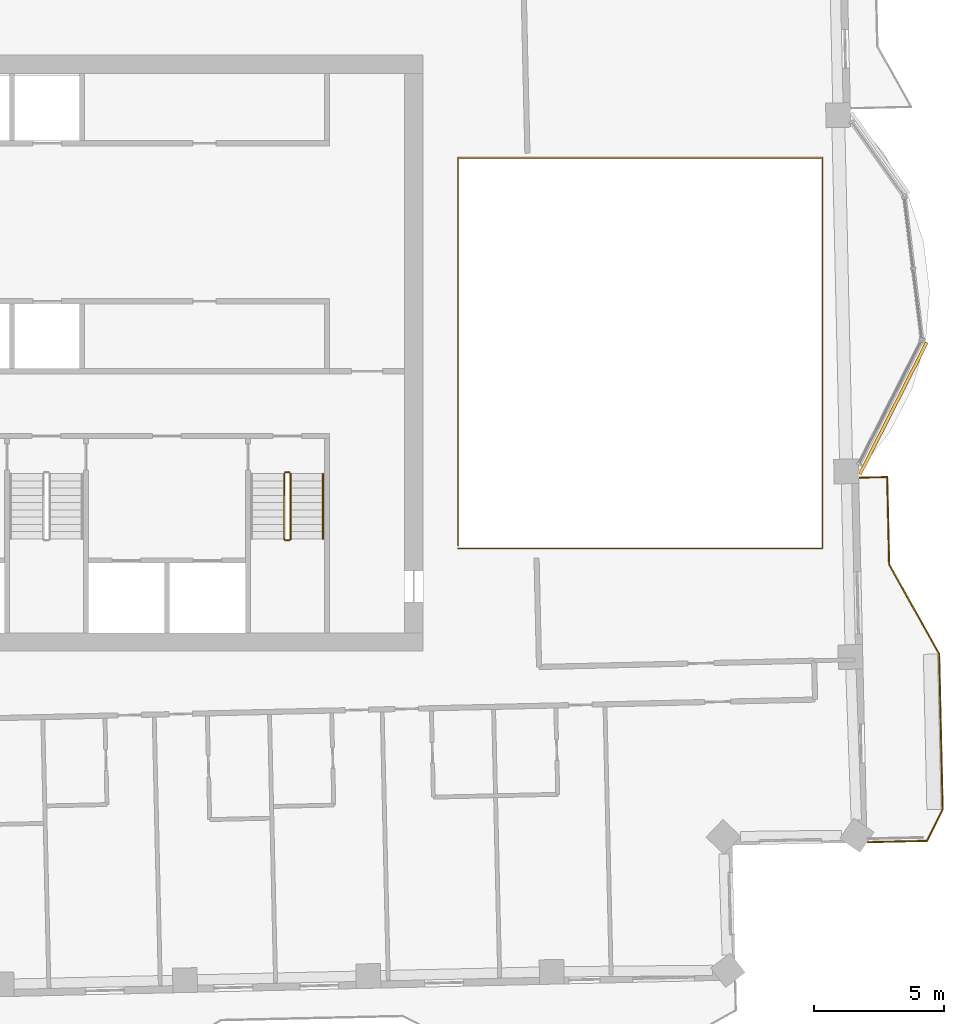
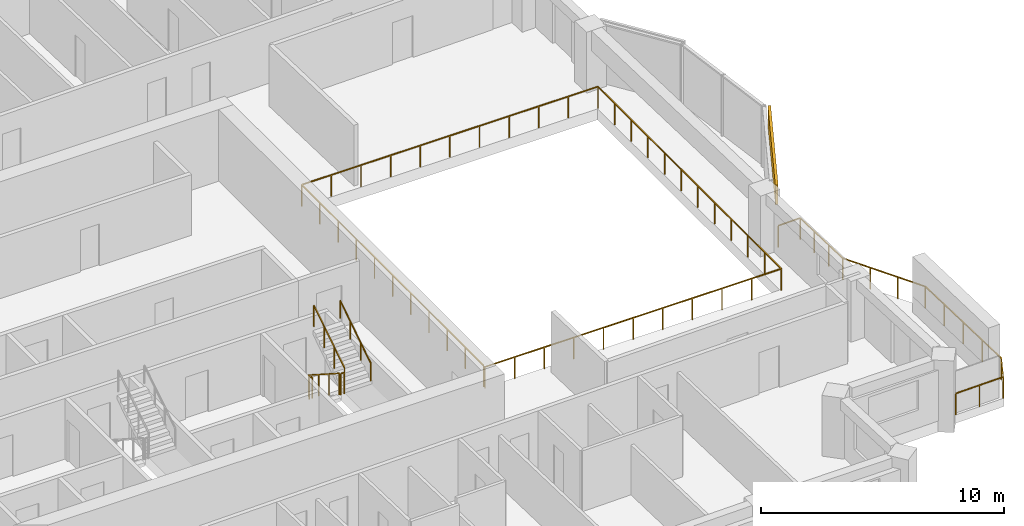
# One storey, part 18 of 19: 7 railings, 1 covering.
"""IFC4 building model written with IfcOpenShell, lengths in metres."""

from ifc_helpers import new_model, si_unit, direction, frame, frame_2d, origin, origin_2d, place, context, subcontext, project, spatial, rectangle, circle, extrude, material, layer, layer_set, type_object, element, save


model = new_model("IFC4")

# Units and contexts
model_context = context("Model", 3, precision=1e-05, world=origin(), true_north=direction((0.0, 1.0)))
body_context = subcontext(model_context, "Body", "Model", "MODEL_VIEW")
ifc_project = project(units=[si_unit("LENGTHUNIT", "METRE"), si_unit("AREAUNIT", "SQUARE_METRE"), si_unit("VOLUMEUNIT", "CUBIC_METRE"), si_unit("PLANEANGLEUNIT", "RADIAN"), si_unit("MASSUNIT", "GRAM", prefix="KILO")], contexts=[model_context])

# Site, building, storey
site_placement = place(None, origin())
site = spatial("IfcSite", under=ifc_project, at=site_placement, CompositionType="ELEMENT")
building_placement = place(site_placement, origin())
building = spatial("IfcBuilding", under=site, at=building_placement, Name="Mangrove Gate Tower", CompositionType="ELEMENT")
storey_placement = place(building_placement, frame((0.0, 0.0, 283.5)))
storey = spatial("IfcBuildingStorey", under=building, at=storey_placement, Name="L72", CompositionType="ELEMENT", Elevation=283.5)

# Railings
ifc_material_1 = material(Name="Stainless steel grade 316 with laminated glass infill", Category="steel")
railing_type_1 = type_object("IfcRailingType", Name="Balcony guard 1100", PredefinedType="GUARDRAIL", material=ifc_material_1)
railing_1_placement = place(storey_placement, frame((31.680908203125, -18.873046875, 0.0)))
element("IfcRailing", 1, at=railing_1_placement, inside=storey, type_object=railing_type_1, Name="GUARD L72 E1", PredefinedType="GUARDRAIL", context=body_context, shape_type="SweptSolid", body=[
    extrude(rectangle(XDim=0.048095703125, YDim=0.048095703125, at=origin_2d()), frame((0.0, 0.0, 1.076171875), z_axis=(0.999738891828, 0.022850561644, 0.0), x_axis=(-0.022850561644, 0.999738891828, 0.0)), (0.0, 0.0, 1.0), 2.275634765625),
    extrude(rectangle(XDim=0.048095703125, YDim=0.048095703125, at=origin_2d()), frame((2.275146484375, 0.052001953125, 1.076171875), z_axis=(0.447141648494, 0.894463160886, 0.0), x_axis=(-0.894463160886, 0.447141648494, 0.0)), (0.0, 0.0, 1.0), 1.357421875),
    extrude(rectangle(XDim=0.048095703125, YDim=0.048095703125, at=origin_2d()), frame((2.882080078125, 1.26611328125, 1.076171875), z_axis=(-0.022665943652, 0.999743094499, 0.0), x_axis=(-0.999743094499, -0.022665943652, 0.0)), (0.0, 0.0, 1.0), 5.99951171875),
    extrude(rectangle(XDim=0.048095703125, YDim=0.048095703125, at=origin_2d()), frame((2.74609375, 7.26416015625, 1.076171875), z_axis=(-0.487286324359, 0.873242256246, 0.0), x_axis=(-0.873242256246, -0.487286324359, 0.0)), (0.0, 0.0, 1.0), 3.95849609375),
    extrude(rectangle(XDim=0.048095703125, YDim=0.048095703125, at=origin_2d()), frame((0.817138671875, 10.720947265625, 1.076171875), z_axis=(-0.022497922048, 0.999746889719, 0.0), x_axis=(-0.999746889719, -0.022497922048, 0.0)), (0.0, 0.0, 1.0), 3.374755859375),
    extrude(rectangle(XDim=0.048095703125, YDim=0.048095703125, at=origin_2d()), frame((0.7412109375, 14.094970703125, 1.076171875), z_axis=(-0.999745389313, -0.022564497502, 0.0), x_axis=(0.022564497502, -0.999745389313, 0.0)), (0.0, 0.0, 1.0), 1.060302734375),
    extrude(rectangle(XDim=0.0419921875, YDim=0.0419921875, at=origin_2d()), origin(), (0.0, 0.0, 1.0), 1.052001953125),
    extrude(rectangle(XDim=0.0419921875, YDim=0.0419921875, at=origin_2d()), frame((1.1376953125, 0.02587890625, 0.0)), (0.0, 0.0, 1.0), 1.052001953125),
    extrude(rectangle(XDim=0.0419921875, YDim=0.0419921875, at=origin_2d()), frame((2.275146484375, 0.052001953125, 0.0)), (0.0, 0.0, 1.0), 1.052001953125),
    extrude(rectangle(XDim=0.0419921875, YDim=0.0419921875, at=origin_2d()), frame((2.882080078125, 1.26611328125, 0.0)), (0.0, 0.0, 1.0), 1.052001953125),
    extrude(rectangle(XDim=0.0419921875, YDim=0.0419921875, at=origin_2d()), frame((2.84814453125, 2.765625, 0.0)), (0.0, 0.0, 1.0), 1.052001953125),
    extrude(rectangle(XDim=0.0419921875, YDim=0.0419921875, at=origin_2d()), frame((2.81396484375, 4.26513671875, 0.0)), (0.0, 0.0, 1.0), 1.052001953125),
    extrude(rectangle(XDim=0.0419921875, YDim=0.0419921875, at=origin_2d()), frame((2.780029296875, 5.7646484375, 0.0)), (0.0, 0.0, 1.0), 1.052001953125),
    extrude(rectangle(XDim=0.0419921875, YDim=0.0419921875, at=origin_2d()), frame((2.74609375, 7.26416015625, 0.0)), (0.0, 0.0, 1.0), 1.052001953125),
    extrude(rectangle(XDim=0.0419921875, YDim=0.0419921875, at=origin_2d()), frame((2.10302734375, 8.41650390625, 0.0)), (0.0, 0.0, 1.0), 1.052001953125),
    extrude(rectangle(XDim=0.0419921875, YDim=0.0419921875, at=origin_2d()), frame((1.460205078125, 9.568603515625, 0.0)), (0.0, 0.0, 1.0), 1.052001953125),
    extrude(rectangle(XDim=0.0419921875, YDim=0.0419921875, at=origin_2d()), frame((0.817138671875, 10.720947265625, 0.0)), (0.0, 0.0, 1.0), 1.052001953125),
    extrude(rectangle(XDim=0.0419921875, YDim=0.0419921875, at=origin_2d()), frame((0.791748046875, 11.845703125, 0.0)), (0.0, 0.0, 1.0), 1.052001953125),
    extrude(rectangle(XDim=0.0419921875, YDim=0.0419921875, at=origin_2d()), frame((0.7666015625, 12.97021484375, 0.0)), (0.0, 0.0, 1.0), 1.052001953125),
    extrude(rectangle(XDim=0.0419921875, YDim=0.0419921875, at=origin_2d()), frame((0.7412109375, 14.094970703125, 0.0)), (0.0, 0.0, 1.0), 1.052001953125),
    extrude(rectangle(XDim=0.0419921875, YDim=0.0419921875, at=origin_2d()), frame((-0.31884765625, 14.071044921875, 0.0)), (0.0, 0.0, 1.0), 1.052001953125),
])
railing_2_placement = place(storey_placement, frame((15.860107421875, -7.5400390625, 0.0)))
element("IfcRailing", 2, at=railing_2_placement, inside=storey, type_object=railing_type_1, Name="GUARD L72 atrium", PredefinedType="GUARDRAIL", context=body_context, shape_type="SweptSolid", body=[
    extrude(rectangle(XDim=0.048095703125, YDim=0.048095703125, at=origin_2d()), frame((0.0, 0.0, 1.076171875), z_axis=(1.0, 0.0, 0.0), x_axis=(0.0, 1.0, 0.0)), (0.0, 0.0, 1.0), 14.06982421875),
    extrude(rectangle(XDim=0.048095703125, YDim=0.048095703125, at=origin_2d()), frame((14.06982421875, 0.0, 1.076171875), z_axis=(0.0, 1.0, 0.0), x_axis=(-1.0, 0.0, 0.0)), (0.0, 0.0, 1.0), 15.080078125),
    extrude(rectangle(XDim=0.048095703125, YDim=0.048095703125, at=origin_2d()), frame((14.06982421875, 15.080078125, 1.076171875), z_axis=(-1.0, 0.0, 0.0), x_axis=(0.0, -1.0, 0.0)), (0.0, 0.0, 1.0), 14.06982421875),
    extrude(rectangle(XDim=0.048095703125, YDim=0.048095703125, at=origin_2d()), frame((0.0, 15.080078125, 1.076171875), z_axis=(0.0, -1.0, 0.0), x_axis=(1.0, 0.0, 0.0)), (0.0, 0.0, 1.0), 14.9599609375),
    extrude(rectangle(XDim=0.0419921875, YDim=0.0419921875, at=origin_2d()), origin(), (0.0, 0.0, 1.0), 1.052001953125),
    extrude(rectangle(XDim=0.0419921875, YDim=0.0419921875, at=origin_2d()), frame((1.406982421875, 0.0, 0.0)), (0.0, 0.0, 1.0), 1.052001953125),
    extrude(rectangle(XDim=0.0419921875, YDim=0.0419921875, at=origin_2d()), frame((2.81396484375, 0.0, 0.0)), (0.0, 0.0, 1.0), 1.052001953125),
    extrude(rectangle(XDim=0.0419921875, YDim=0.0419921875, at=origin_2d()), frame((4.220947265625, 0.0, 0.0)), (0.0, 0.0, 1.0), 1.052001953125),
    extrude(rectangle(XDim=0.0419921875, YDim=0.0419921875, at=origin_2d()), frame((5.6279296875, 0.0, 0.0)), (0.0, 0.0, 1.0), 1.052001953125),
    extrude(rectangle(XDim=0.0419921875, YDim=0.0419921875, at=origin_2d()), frame((7.034912109375, 0.0, 0.0)), (0.0, 0.0, 1.0), 1.052001953125),
    extrude(rectangle(XDim=0.0419921875, YDim=0.0419921875, at=origin_2d()), frame((8.44189453125, 0.0, 0.0)), (0.0, 0.0, 1.0), 1.052001953125),
    extrude(rectangle(XDim=0.0419921875, YDim=0.0419921875, at=origin_2d()), frame((9.848876953125, 0.0, 0.0)), (0.0, 0.0, 1.0), 1.052001953125),
    extrude(rectangle(XDim=0.0419921875, YDim=0.0419921875, at=origin_2d()), frame((11.255859375, 0.0, 0.0)), (0.0, 0.0, 1.0), 1.052001953125),
    extrude(rectangle(XDim=0.0419921875, YDim=0.0419921875, at=origin_2d()), frame((12.662841796875, 0.0, 0.0)), (0.0, 0.0, 1.0), 1.052001953125),
    extrude(rectangle(XDim=0.0419921875, YDim=0.0419921875, at=origin_2d()), frame((14.06982421875, 0.0, 0.0)), (0.0, 0.0, 1.0), 1.052001953125),
    extrude(rectangle(XDim=0.0419921875, YDim=0.0419921875, at=origin_2d()), frame((14.06982421875, 1.370849609375, 0.0)), (0.0, 0.0, 1.0), 1.052001953125),
    extrude(rectangle(XDim=0.0419921875, YDim=0.0419921875, at=origin_2d()), frame((14.06982421875, 2.741943359375, 0.0)), (0.0, 0.0, 1.0), 1.052001953125),
    extrude(rectangle(XDim=0.0419921875, YDim=0.0419921875, at=origin_2d()), frame((14.06982421875, 4.11279296875, 0.0)), (0.0, 0.0, 1.0), 1.052001953125),
    extrude(rectangle(XDim=0.0419921875, YDim=0.0419921875, at=origin_2d()), frame((14.06982421875, 5.483642578125, 0.0)), (0.0, 0.0, 1.0), 1.052001953125),
    extrude(rectangle(XDim=0.0419921875, YDim=0.0419921875, at=origin_2d()), frame((14.06982421875, 6.8544921875, 0.0)), (0.0, 0.0, 1.0), 1.052001953125),
    extrude(rectangle(XDim=0.0419921875, YDim=0.0419921875, at=origin_2d()), frame((14.06982421875, 8.2255859375, 0.0)), (0.0, 0.0, 1.0), 1.052001953125),
    extrude(rectangle(XDim=0.0419921875, YDim=0.0419921875, at=origin_2d()), frame((14.06982421875, 9.596435546875, 0.0)), (0.0, 0.0, 1.0), 1.052001953125),
    extrude(rectangle(XDim=0.0419921875, YDim=0.0419921875, at=origin_2d()), frame((14.06982421875, 10.96728515625, 0.0)), (0.0, 0.0, 1.0), 1.052001953125),
    extrude(rectangle(XDim=0.0419921875, YDim=0.0419921875, at=origin_2d()), frame((14.06982421875, 12.338134765625, 0.0)), (0.0, 0.0, 1.0), 1.052001953125),
    extrude(rectangle(XDim=0.0419921875, YDim=0.0419921875, at=origin_2d()), frame((14.06982421875, 13.709228515625, 0.0)), (0.0, 0.0, 1.0), 1.052001953125),
    extrude(rectangle(XDim=0.0419921875, YDim=0.0419921875, at=origin_2d()), frame((14.06982421875, 15.080078125, 0.0)), (0.0, 0.0, 1.0), 1.052001953125),
    extrude(rectangle(XDim=0.0419921875, YDim=0.0419921875, at=origin_2d()), frame((12.662841796875, 15.080078125, 0.0)), (0.0, 0.0, 1.0), 1.052001953125),
    extrude(rectangle(XDim=0.0419921875, YDim=0.0419921875, at=origin_2d()), frame((11.255859375, 15.080078125, 0.0)), (0.0, 0.0, 1.0), 1.052001953125),
    extrude(rectangle(XDim=0.0419921875, YDim=0.0419921875, at=origin_2d()), frame((9.848876953125, 15.080078125, 0.0)), (0.0, 0.0, 1.0), 1.052001953125),
    extrude(rectangle(XDim=0.0419921875, YDim=0.0419921875, at=origin_2d()), frame((8.44189453125, 15.080078125, 0.0)), (0.0, 0.0, 1.0), 1.052001953125),
    extrude(rectangle(XDim=0.0419921875, YDim=0.0419921875, at=origin_2d()), frame((7.034912109375, 15.080078125, 0.0)), (0.0, 0.0, 1.0), 1.052001953125),
    extrude(rectangle(XDim=0.0419921875, YDim=0.0419921875, at=origin_2d()), frame((5.6279296875, 15.080078125, 0.0)), (0.0, 0.0, 1.0), 1.052001953125),
    extrude(rectangle(XDim=0.0419921875, YDim=0.0419921875, at=origin_2d()), frame((4.220947265625, 15.080078125, 0.0)), (0.0, 0.0, 1.0), 1.052001953125),
    extrude(rectangle(XDim=0.0419921875, YDim=0.0419921875, at=origin_2d()), frame((2.81396484375, 15.080078125, 0.0)), (0.0, 0.0, 1.0), 1.052001953125),
    extrude(rectangle(XDim=0.0419921875, YDim=0.0419921875, at=origin_2d()), frame((1.406982421875, 15.080078125, 0.0)), (0.0, 0.0, 1.0), 1.052001953125),
    extrude(rectangle(XDim=0.0419921875, YDim=0.0419921875, at=origin_2d()), frame((0.0, 15.080078125, 0.0)), (0.0, 0.0, 1.0), 1.052001953125),
    extrude(rectangle(XDim=0.0419921875, YDim=0.0419921875, at=origin_2d()), frame((0.0, 13.583984375, 0.0)), (0.0, 0.0, 1.0), 1.052001953125),
    extrude(rectangle(XDim=0.0419921875, YDim=0.0419921875, at=origin_2d()), frame((0.0, 12.088134765625, 0.0)), (0.0, 0.0, 1.0), 1.052001953125),
    extrude(rectangle(XDim=0.0419921875, YDim=0.0419921875, at=origin_2d()), frame((0.0, 10.592041015625, 0.0)), (0.0, 0.0, 1.0), 1.052001953125),
    extrude(rectangle(XDim=0.0419921875, YDim=0.0419921875, at=origin_2d()), frame((0.0, 9.09619140625, 0.0)), (0.0, 0.0, 1.0), 1.052001953125),
    extrude(rectangle(XDim=0.0419921875, YDim=0.0419921875, at=origin_2d()), frame((0.0, 7.60009765625, 0.0)), (0.0, 0.0, 1.0), 1.052001953125),
    extrude(rectangle(XDim=0.0419921875, YDim=0.0419921875, at=origin_2d()), frame((0.0, 6.10400390625, 0.0)), (0.0, 0.0, 1.0), 1.052001953125),
    extrude(rectangle(XDim=0.0419921875, YDim=0.0419921875, at=origin_2d()), frame((0.0, 4.608154296875, 0.0)), (0.0, 0.0, 1.0), 1.052001953125),
    extrude(rectangle(XDim=0.0419921875, YDim=0.0419921875, at=origin_2d()), frame((0.0, 3.112060546875, 0.0)), (0.0, 0.0, 1.0), 1.052001953125),
    extrude(rectangle(XDim=0.0419921875, YDim=0.0419921875, at=origin_2d()), frame((0.0, 1.6162109375, 0.0)), (0.0, 0.0, 1.0), 1.052001953125),
    extrude(rectangle(XDim=0.0419921875, YDim=0.0419921875, at=origin_2d()), frame((0.0, 0.1201171875, 0.0)), (0.0, 0.0, 1.0), 1.052001953125),
])
ifc_material_2 = material(Name="Stainless steel 316", Category="steel")
railing_type_2 = type_object("IfcRailingType", Name="Core stair guard 1100", PredefinedType="GUARDRAIL", material=ifc_material_2)
railing_3_placement = place(storey_placement, frame((9.14990234375, -4.64990234375, 0.179931640625)))
element("IfcRailing", 3, at=railing_3_placement, inside=storey, type_object=railing_type_2, Name="L72 ST3 stair guard 1", PredefinedType="GUARDRAIL", context=body_context, shape_type="SweptSolid", body=[
    extrude(rectangle(XDim=0.048095703125, YDim=0.048095703125, at=origin_2d()), frame((0.0, 0.0, 1.076171875), z_axis=(0.0, -0.841162588446, 0.540782303519), x_axis=(1.0, 0.0, 0.0)), (0.0, 0.0, 1.0), 2.995849609375),
    extrude(rectangle(XDim=0.0419921875, YDim=0.0419921875, at=origin_2d()), origin(), (0.0, 0.0, 1.0), 1.052001953125),
    extrude(rectangle(XDim=0.0419921875, YDim=0.0419921875, at=origin_2d()), frame((0.0, -0.840087890625, 0.5400390625)), (0.0, 0.0, 1.0), 1.052001953125),
    extrude(rectangle(XDim=0.0419921875, YDim=0.0419921875, at=origin_2d()), frame((0.0, -1.679931640625, 1.080078125)), (0.0, 0.0, 1.0), 1.052001953125),
    extrude(rectangle(XDim=0.0419921875, YDim=0.0419921875, at=origin_2d()), frame((0.0, -2.52001953125, 1.6201171875)), (0.0, 0.0, 1.0), 1.052001953125),
])
railing_4_placement = place(storey_placement, frame((9.199951171875, -7.219970703125, 1.800048828125)))
element("IfcRailing", 4, at=railing_4_placement, inside=storey, type_object=railing_type_2, Name="L72 ST3 stair guard 2", PredefinedType="GUARDRAIL", context=body_context, shape_type="SweptSolid", body=[
    extrude(rectangle(XDim=0.048095703125, YDim=0.048095703125, at=origin_2d()), frame((0.0, 0.0, 1.076171875), z_axis=(1.0, 0.0, 0.0), x_axis=(0.0, 1.0, 0.0)), (0.0, 0.0, 1.0), 0.150146484375),
    extrude(rectangle(XDim=0.0419921875, YDim=0.0419921875, at=origin_2d()), origin(), (0.0, 0.0, 1.0), 1.052001953125),
    extrude(rectangle(XDim=0.0419921875, YDim=0.0419921875, at=origin_2d()), frame((0.150146484375, 0.0, 0.0)), (0.0, 0.0, 1.0), 1.052001953125),
])
railing_5_placement = place(storey_placement, frame((9.39990234375, -7.169921875, 1.97998046875)))
element("IfcRailing", 5, at=railing_5_placement, inside=storey, type_object=railing_type_2, Name="L72 ST3 stair guard 3", PredefinedType="GUARDRAIL", context=body_context, shape_type="SweptSolid", body=[
    extrude(rectangle(XDim=0.048095703125, YDim=0.048095703125, at=origin_2d()), frame((0.0, 0.0, 1.076171875), z_axis=(0.0, 0.841162588446, 0.540782303519), x_axis=(-1.0, 0.0, 0.0)), (0.0, 0.0, 1.0), 2.995849609375),
    extrude(rectangle(XDim=0.0419921875, YDim=0.0419921875, at=origin_2d()), origin(), (0.0, 0.0, 1.0), 1.052001953125),
    extrude(rectangle(XDim=0.0419921875, YDim=0.0419921875, at=origin_2d()), frame((0.0, 0.840087890625, 0.5400390625)), (0.0, 0.0, 1.0), 1.052001953125),
    extrude(rectangle(XDim=0.0419921875, YDim=0.0419921875, at=origin_2d()), frame((0.0, 1.679931640625, 1.080078125)), (0.0, 0.0, 1.0), 1.052001953125),
    extrude(rectangle(XDim=0.0419921875, YDim=0.0419921875, at=origin_2d()), frame((0.0, 2.52001953125, 1.6201171875)), (0.0, 0.0, 1.0), 1.052001953125),
])
railing_6_placement = place(storey_placement, frame((9.199951171875, -4.60009765625, 0.0)))
element("IfcRailing", 6, at=railing_6_placement, inside=storey, type_object=railing_type_2, Name="L72 ST3 stair guard 4", PredefinedType="GUARDRAIL", context=body_context, shape_type="SweptSolid", body=[
    extrude(rectangle(XDim=0.048095703125, YDim=0.048095703125, at=origin_2d()), frame((0.0, 0.0, 1.076171875), z_axis=(1.0, 0.0, 0.0), x_axis=(0.0, 1.0, 0.0)), (0.0, 0.0, 1.0), 0.150146484375),
    extrude(rectangle(XDim=0.0419921875, YDim=0.0419921875, at=origin_2d()), origin(), (0.0, 0.0, 1.0), 1.052001953125),
    extrude(rectangle(XDim=0.0419921875, YDim=0.0419921875, at=origin_2d()), frame((0.150146484375, 0.0, 0.0)), (0.0, 0.0, 1.0), 1.052001953125),
])
ifc_material_3 = material(Name="Stainless steel 316", Category="steel")
railing_type_3 = type_object("IfcRailingType", Name="Core stair handrail 900", PredefinedType="HANDRAIL", material=ifc_material_3)
railing_7_placement = place(storey_placement, frame((10.64990234375, -7.169921875, 1.97998046875)))
element("IfcRailing", 7, at=railing_7_placement, inside=storey, type_object=railing_type_3, Name="L72 ST3 stair handrail 2", PredefinedType="HANDRAIL", context=body_context, shape_type="SweptSolid", body=[
    extrude(circle(Radius=0.02392578125, at=origin_2d()), frame((0.0, 0.0, 0.8759765625), z_axis=(0.0, 0.841162588446, 0.540782303519), x_axis=(-1.0, 0.0, 0.0)), (0.0, 0.0, 1.0), 2.995849609375),
    extrude(circle(Radius=0.02099609375, at=origin_2d()), origin(), (0.0, 0.0, 1.0), 0.851806640625),
    extrude(circle(Radius=0.02099609375, at=origin_2d()), frame((0.0, 0.840087890625, 0.5400390625)), (0.0, 0.0, 1.0), 0.851806640625),
    extrude(circle(Radius=0.02099609375, at=origin_2d()), frame((0.0, 1.679931640625, 1.080078125)), (0.0, 0.0, 1.0), 0.851806640625),
    extrude(circle(Radius=0.02099609375, at=origin_2d()), frame((0.0, 2.52001953125, 1.6201171875)), (0.0, 0.0, 1.0), 0.851806640625),
])

# Covering
ifc_material_4 = material(Name="Limestone", Category="masonry")
ifc_layer_1 = layer(ifc_material_4, 0.0400390625, Name="Limestone cladding")
ifc_material_5 = material(Name="Stainless steel anchors and cavity", Category="steel")
ifc_layer_2 = layer(ifc_material_5, 0.080078125, Name="Fixing cavity")
ifc_layer_set = layer_set([ifc_layer_1, ifc_layer_2], Name="Joint fascia cladding 120")
covering_type = type_object("IfcCoveringType", Name="Joint fascia cladding 120", PredefinedType="CLADDING", material=ifc_layer_set)
covering_placement = place(storey_placement, frame((31.36962890625, -4.674560546875, 2.050048828125), z_axis=(0.0, 0.0, 1.0), x_axis=(0.452616431896, 0.891705313194, 0.0)))
element("IfcCovering", 8, at=covering_placement, inside=storey, type_object=covering_type, Name="STONE FASCIA L72 E1.L1", PredefinedType="CLADDING", context=body_context, shape_type="SweptSolid", body=[
    extrude(rectangle(XDim=5.703125, YDim=0.1201171875, at=frame_2d((2.8515625, 0.0))), origin(), (0.0, 0.0, 1.0), 1.0),
])

save(model, "model.ifc")
